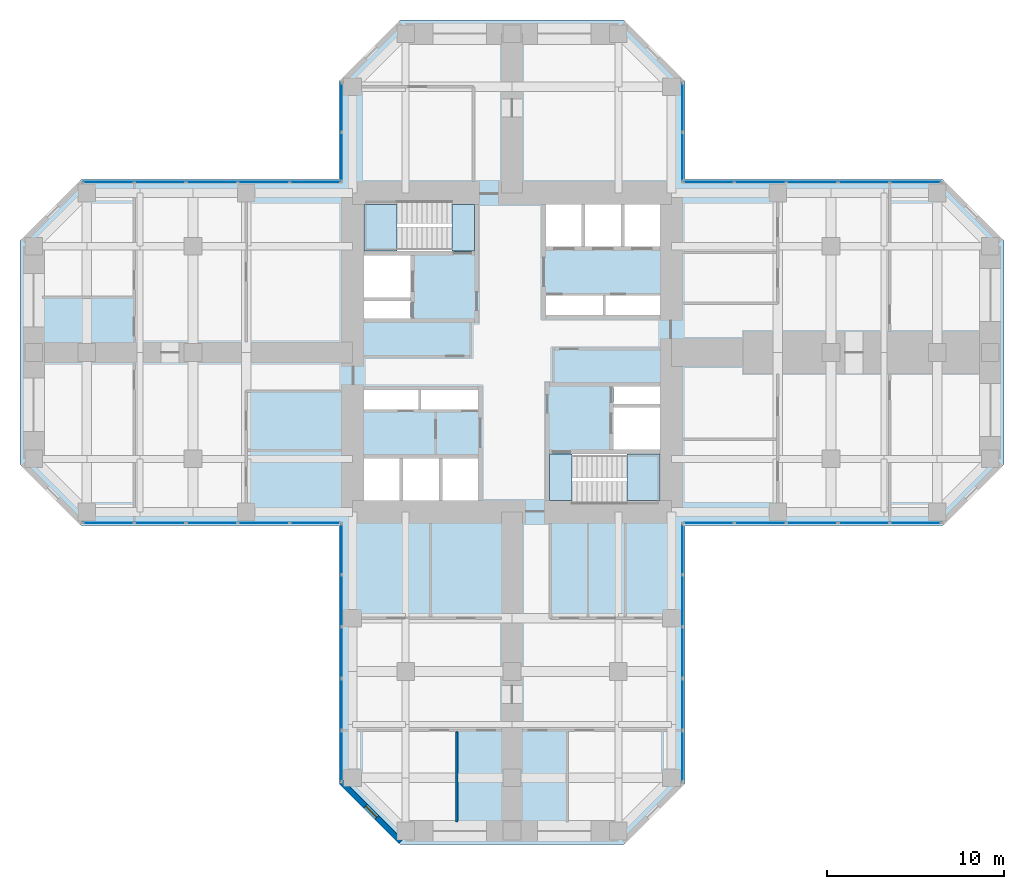
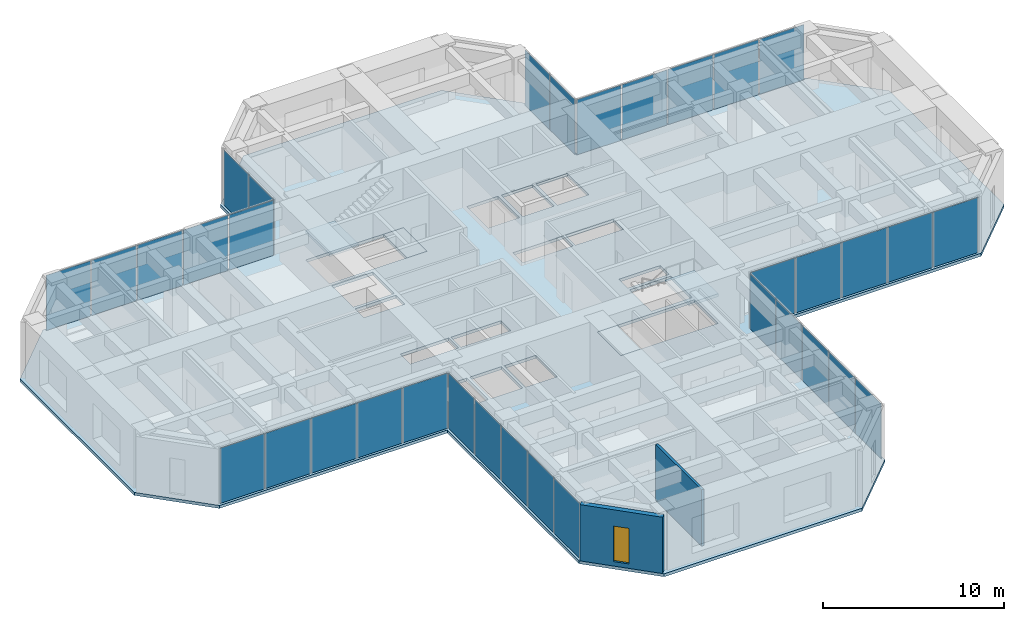
# One storey, part 7 of 13: 34 plates, 5 slabs, 2 walls, 1 window, 1 opening, 10 elements without a shape of their own.
"""IFC4 building model written with IfcOpenShell, lengths in metres."""

from ifc_helpers import new_model, si_unit, direction, frame, frame_2d, origin, origin_2d, place, context, subcontext, project, spatial, polyline, rectangle, hollow_rectangle, outline, extrude, material, layer, layer_set, constituent, constituent_set, type_object, element, fill, aggregate, save


model = new_model("IFC4")

# Units and contexts
model_context = context("Model", 3, precision=1e-05, world=origin(), true_north=direction((0.0, 1.0)))
body_context = subcontext(model_context, "Body", "Model", "MODEL_VIEW")
ifc_project = project(units=[si_unit("LENGTHUNIT", "METRE"), si_unit("AREAUNIT", "SQUARE_METRE"), si_unit("VOLUMEUNIT", "CUBIC_METRE"), si_unit("PLANEANGLEUNIT", "RADIAN"), si_unit("MASSUNIT", "GRAM", prefix="KILO")], contexts=[model_context])

# Site, building, storey
site_placement = place(None, origin())
site = spatial("IfcSite", under=ifc_project, at=site_placement, CompositionType="ELEMENT")
building_placement = place(site_placement, origin())
building = spatial("IfcBuilding", under=site, at=building_placement, Name="Torre Cruceta", CompositionType="ELEMENT")
storey_placement = place(building_placement, frame((0.0, 0.0, 152.5)))
storey = spatial("IfcBuildingStorey", under=building, at=storey_placement, Name="L37", CompositionType="ELEMENT", Elevation=152.5)

# Curtain wall, plate
ifc_material_1 = material(Name="Aluminium unitised curtain wall", Category="aluminium")
curtain_wall_type = type_object("IfcCurtainWallType", Name="CURTAIN WALL CW-B OFFICE MID RISE", PredefinedType="USERDEFINED", material=ifc_material_1)
curtain_wall_1_placement = place(storey_placement, origin())
curtain_wall_1 = element("IfcCurtainWall", 1, at=curtain_wall_1_placement, inside=storey, type_object=curtain_wall_type, Name="CW-B L37 E side 00", ObjectType="UNITISED", PredefinedType="USERDEFINED")
ifc_material_2 = material(Name="Laminated insulating glass unit, diagonal frit 50 %", Category="glass")
ifc_material_3 = material(Name="Laminated insulating glass unit, diagonal frit 50 %", Category="glass")
ifc_layer_1 = layer(ifc_material_3, 0.031982421875)
ifc_layer_set_1 = layer_set([ifc_layer_1], Name="Laminated insulating glass unit, diagonal frit 50 %")
plate_type_1 = type_object("IfcPlateType", Name="CW-B OPERABLE VENT PANEL 32", PredefinedType="CURTAIN_PANEL", material=ifc_layer_set_1)
plate_1_placement = place(storey_placement, frame((16.9384765625, -9.6201171875, 0.010009765625), z_axis=(0.0, 0.0, 1.0), x_axis=(1.0, 0.0, 0.0)))
plate_1 = element("IfcPlate", 2, at=plate_1_placement, type_object=plate_type_1, material=ifc_material_2, Name="CW-B vent 3", PredefinedType="CURTAIN_PANEL", context=body_context, shape_type="SweptSolid", body=[
    extrude(rectangle(XDim=2.8623046875, YDim=0.031982421875, at=origin_2d()), origin(), (0.0, 0.0, 1.0), 3.72509765625),
])

curtain_wall_2_placement = place(storey_placement, origin())
curtain_wall_2 = element("IfcCurtainWall", 3, at=curtain_wall_2_placement, inside=storey, type_object=curtain_wall_type, Name="CW-B L37 E side 04", ObjectType="UNITISED", PredefinedType="USERDEFINED")
plate_2_placement = place(storey_placement, frame((16.9384765625, 9.6201171875, 0.010009765625), z_axis=(0.0, 0.0, 1.0), x_axis=(-1.0, 0.0, 0.0)))
plate_2 = element("IfcPlate", 4, at=plate_2_placement, type_object=plate_type_1, material=ifc_material_2, Name="CW-B vent 3", PredefinedType="CURTAIN_PANEL", context=body_context, shape_type="SweptSolid", body=[
    extrude(rectangle(XDim=2.8623046875, YDim=0.031982421875, at=origin_2d()), origin(), (0.0, 0.0, 1.0), 3.72509765625),
])

curtain_wall_3_placement = place(storey_placement, origin())
curtain_wall_3 = element("IfcCurtainWall", 5, at=curtain_wall_3_placement, inside=storey, type_object=curtain_wall_type, Name="CW-B L37 W side 10", ObjectType="UNITISED", PredefinedType="USERDEFINED")
plate_3_placement = place(storey_placement, frame((-16.9384765625, 9.6201171875, 0.010009765625), z_axis=(0.0, 0.0, 1.0), x_axis=(-1.0, 0.0, 0.0)))
plate_3 = element("IfcPlate", 6, at=plate_3_placement, type_object=plate_type_1, material=ifc_material_2, Name="CW-B vent 3", PredefinedType="CURTAIN_PANEL", context=body_context, shape_type="SweptSolid", body=[
    extrude(rectangle(XDim=2.8623046875, YDim=0.031982421875, at=origin_2d()), origin(), (0.0, 0.0, 1.0), 3.72509765625),
])

curtain_wall_4_placement = place(storey_placement, origin())
curtain_wall_4 = element("IfcCurtainWall", 7, at=curtain_wall_4_placement, inside=storey, type_object=curtain_wall_type, Name="CW-B L37 W side 14", ObjectType="UNITISED", PredefinedType="USERDEFINED")
plate_4_placement = place(storey_placement, frame((-16.9384765625, -9.6201171875, 0.010009765625), z_axis=(0.0, 0.0, 1.0), x_axis=(1.0, 0.0, 0.0)))
plate_4 = element("IfcPlate", 8, at=plate_4_placement, type_object=plate_type_1, material=ifc_material_2, Name="CW-B vent 3", PredefinedType="CURTAIN_PANEL", context=body_context, shape_type="SweptSolid", body=[
    extrude(rectangle(XDim=2.8623046875, YDim=0.031982421875, at=origin_2d()), origin(), (0.0, 0.0, 1.0), 3.72509765625),
])

curtain_wall_5_placement = place(storey_placement, origin())
curtain_wall_5 = element("IfcCurtainWall", 9, at=curtain_wall_5_placement, inside=storey, type_object=curtain_wall_type, Name="CW-B L37 S side 15", ObjectType="UNITISED", PredefinedType="USERDEFINED")
plate_5_placement = place(storey_placement, frame((-9.6201171875, -16.9384765625, 0.010009765625), z_axis=(0.0, 0.0, 1.0), x_axis=(0.0, -1.0, 0.0)))
plate_5 = element("IfcPlate", 10, at=plate_5_placement, type_object=plate_type_1, material=ifc_material_2, Name="CW-B vent 3", PredefinedType="CURTAIN_PANEL", context=body_context, shape_type="SweptSolid", body=[
    extrude(rectangle(XDim=2.8623046875, YDim=0.031982421875, at=origin_2d()), origin(), (0.0, 0.0, 1.0), 3.72509765625),
])

curtain_wall_6_placement = place(storey_placement, origin())
curtain_wall_6 = element("IfcCurtainWall", 11, at=curtain_wall_6_placement, inside=storey, type_object=curtain_wall_type, Name="CW-B L37 S side 19", ObjectType="UNITISED", PredefinedType="USERDEFINED")
plate_6_placement = place(storey_placement, frame((9.6201171875, -16.9384765625, 0.010009765625), z_axis=(0.0, 0.0, 1.0), x_axis=(0.0, 1.0, 0.0)))
plate_6 = element("IfcPlate", 12, at=plate_6_placement, type_object=plate_type_1, material=ifc_material_2, Name="CW-B vent 3", PredefinedType="CURTAIN_PANEL", context=body_context, shape_type="SweptSolid", body=[
    extrude(rectangle(XDim=2.8623046875, YDim=0.031982421875, at=origin_2d()), origin(), (0.0, 0.0, 1.0), 3.72509765625),
])

# Plate
ifc_material_4 = material(Name="Laminated insulating glass unit, low-iron clear", Category="glass")
ifc_material_5 = material(Name="Laminated insulating glass unit, diagonal frit 50 %", Category="glass")
ifc_layer_2 = layer(ifc_material_5, 0.031982421875)
ifc_layer_set_2 = layer_set([ifc_layer_2], Name="Laminated insulating glass unit, diagonal frit 50 %")
plate_type_2 = type_object("IfcPlateType", Name="CW-B PANEL 32", PredefinedType="CURTAIN_PANEL", material=ifc_layer_set_2)
plate_7_placement = place(storey_placement, frame((11.099853515625, -9.6201171875, 0.010009765625), z_axis=(0.0, 0.0, 1.0), x_axis=(1.0, 0.0, 0.0)))
plate_7 = element("IfcPlate", 13, at=plate_7_placement, type_object=plate_type_2, material=ifc_material_4, Name="CW-B panel 1", PredefinedType="CURTAIN_PANEL", context=body_context, shape_type="SweptSolid", body=[
    extrude(rectangle(XDim=2.829833984375, YDim=0.031982421875, at=origin_2d()), origin(), (0.0, 0.0, 1.0), 3.72509765625),
])

plate_8_placement = place(storey_placement, frame((14.010986328125, -9.6201171875, 0.010009765625), z_axis=(0.0, 0.0, 1.0), x_axis=(1.0, 0.0, 0.0)))
plate_8 = element("IfcPlate", 14, at=plate_8_placement, type_object=plate_type_2, material=ifc_material_2, Name="CW-B panel 2", PredefinedType="CURTAIN_PANEL", context=body_context, shape_type="SweptSolid", body=[
    extrude(rectangle(XDim=2.8623046875, YDim=0.031982421875, at=origin_2d()), origin(), (0.0, 0.0, 1.0), 3.72509765625),
])

plate_9_placement = place(storey_placement, frame((19.86572265625, -9.6201171875, 0.010009765625), z_axis=(0.0, 0.0, 1.0), x_axis=(1.0, 0.0, 0.0)))
plate_9 = element("IfcPlate", 15, at=plate_9_placement, type_object=plate_type_2, material=ifc_material_2, Name="CW-B panel 4", PredefinedType="CURTAIN_PANEL", context=body_context, shape_type="SweptSolid", body=[
    extrude(rectangle(XDim=2.8623046875, YDim=0.031982421875, at=origin_2d()), origin(), (0.0, 0.0, 1.0), 3.72509765625),
])

plate_10_placement = place(storey_placement, frame((22.77685546875, -9.6201171875, 0.010009765625), z_axis=(0.0, 0.0, 1.0), x_axis=(1.0, 0.0, 0.0)))
plate_10 = element("IfcPlate", 16, at=plate_10_placement, type_object=plate_type_2, material=ifc_material_2, Name="CW-B panel 5", PredefinedType="CURTAIN_PANEL", context=body_context, shape_type="SweptSolid", body=[
    extrude(rectangle(XDim=2.829833984375, YDim=0.031982421875, at=origin_2d()), origin(), (0.0, 0.0, 1.0), 3.72509765625),
])

aggregate(curtain_wall_1, [plate_7, plate_8, plate_1, plate_9, plate_10])

plate_11_placement = place(storey_placement, frame((22.77685546875, 9.6201171875, 0.010009765625), z_axis=(0.0, 0.0, 1.0), x_axis=(-1.0, 0.0, 0.0)))
plate_11 = element("IfcPlate", 17, at=plate_11_placement, type_object=plate_type_2, material=ifc_material_4, Name="CW-B panel 1", PredefinedType="CURTAIN_PANEL", context=body_context, shape_type="SweptSolid", body=[
    extrude(rectangle(XDim=2.829833984375, YDim=0.031982421875, at=origin_2d()), origin(), (0.0, 0.0, 1.0), 3.72509765625),
])

plate_12_placement = place(storey_placement, frame((19.86572265625, 9.6201171875, 0.010009765625), z_axis=(0.0, 0.0, 1.0), x_axis=(-1.0, 0.0, 0.0)))
plate_12 = element("IfcPlate", 18, at=plate_12_placement, type_object=plate_type_2, material=ifc_material_2, Name="CW-B panel 2", PredefinedType="CURTAIN_PANEL", context=body_context, shape_type="SweptSolid", body=[
    extrude(rectangle(XDim=2.8623046875, YDim=0.031982421875, at=origin_2d()), origin(), (0.0, 0.0, 1.0), 3.72509765625),
])

plate_13_placement = place(storey_placement, frame((14.010986328125, 9.6201171875, 0.010009765625), z_axis=(0.0, 0.0, 1.0), x_axis=(-1.0, 0.0, 0.0)))
plate_13 = element("IfcPlate", 19, at=plate_13_placement, type_object=plate_type_2, material=ifc_material_2, Name="CW-B panel 4", PredefinedType="CURTAIN_PANEL", context=body_context, shape_type="SweptSolid", body=[
    extrude(rectangle(XDim=2.8623046875, YDim=0.031982421875, at=origin_2d()), origin(), (0.0, 0.0, 1.0), 3.72509765625),
])

plate_14_placement = place(storey_placement, frame((11.099853515625, 9.6201171875, 0.010009765625), z_axis=(0.0, 0.0, 1.0), x_axis=(-1.0, 0.0, 0.0)))
plate_14 = element("IfcPlate", 20, at=plate_14_placement, type_object=plate_type_2, material=ifc_material_2, Name="CW-B panel 5", PredefinedType="CURTAIN_PANEL", context=body_context, shape_type="SweptSolid", body=[
    extrude(rectangle(XDim=2.829833984375, YDim=0.031982421875, at=origin_2d()), origin(), (0.0, 0.0, 1.0), 3.72509765625),
])

aggregate(curtain_wall_2, [plate_11, plate_12, plate_2, plate_13, plate_14])

# Curtain wall, plates
curtain_wall_7_placement = place(storey_placement, origin())
curtain_wall_7 = element("IfcCurtainWall", 21, at=curtain_wall_7_placement, inside=storey, type_object=curtain_wall_type, Name="CW-B L37 N side 05", ObjectType="UNITISED", PredefinedType="USERDEFINED")
plate_15_placement = place(storey_placement, frame((9.6201171875, 11.04541015625, 0.010009765625), z_axis=(0.0, 0.0, 1.0), x_axis=(0.0, 1.0, 0.0)))
plate_15 = element("IfcPlate", 22, at=plate_15_placement, type_object=plate_type_2, material=ifc_material_4, Name="CW-B panel 1", PredefinedType="CURTAIN_PANEL", context=body_context, shape_type="SweptSolid", body=[
    extrude(rectangle(XDim=2.720947265625, YDim=0.031982421875, at=origin_2d()), origin(), (0.0, 0.0, 1.0), 3.72509765625),
])
plate_16_placement = place(storey_placement, frame((9.6201171875, 13.831298828125, 0.010009765625), z_axis=(0.0, 0.0, 1.0), x_axis=(0.0, 1.0, 0.0)))
plate_16 = element("IfcPlate", 23, at=plate_16_placement, type_object=plate_type_2, material=ifc_material_2, Name="CW-B panel 2", PredefinedType="CURTAIN_PANEL", context=body_context, shape_type="SweptSolid", body=[
    extrude(rectangle(XDim=2.720947265625, YDim=0.031982421875, at=origin_2d()), origin(), (0.0, 0.0, 1.0), 3.72509765625),
])
aggregate(curtain_wall_7, [plate_15, plate_16])

curtain_wall_8_placement = place(storey_placement, origin())
curtain_wall_8 = element("IfcCurtainWall", 24, at=curtain_wall_8_placement, inside=storey, type_object=curtain_wall_type, Name="CW-B L37 N side 09", ObjectType="UNITISED", PredefinedType="USERDEFINED")
plate_17_placement = place(storey_placement, frame((-9.6201171875, 13.831298828125, 0.010009765625), z_axis=(0.0, 0.0, 1.0), x_axis=(0.0, -1.0, 0.0)))
plate_17 = element("IfcPlate", 25, at=plate_17_placement, type_object=plate_type_2, material=ifc_material_4, Name="CW-B panel 1", PredefinedType="CURTAIN_PANEL", context=body_context, shape_type="SweptSolid", body=[
    extrude(rectangle(XDim=2.720947265625, YDim=0.031982421875, at=origin_2d()), origin(), (0.0, 0.0, 1.0), 3.72509765625),
])
plate_18_placement = place(storey_placement, frame((-9.6201171875, 11.04541015625, 0.010009765625), z_axis=(0.0, 0.0, 1.0), x_axis=(0.0, -1.0, 0.0)))
plate_18 = element("IfcPlate", 26, at=plate_18_placement, type_object=plate_type_2, material=ifc_material_2, Name="CW-B panel 2", PredefinedType="CURTAIN_PANEL", context=body_context, shape_type="SweptSolid", body=[
    extrude(rectangle(XDim=2.720947265625, YDim=0.031982421875, at=origin_2d()), origin(), (0.0, 0.0, 1.0), 3.72509765625),
])
aggregate(curtain_wall_8, [plate_17, plate_18])

# Plate
plate_19_placement = place(storey_placement, frame((-11.099853515625, 9.6201171875, 0.010009765625), z_axis=(0.0, 0.0, 1.0), x_axis=(-1.0, 0.0, 0.0)))
plate_19 = element("IfcPlate", 27, at=plate_19_placement, type_object=plate_type_2, material=ifc_material_4, Name="CW-B panel 1", PredefinedType="CURTAIN_PANEL", context=body_context, shape_type="SweptSolid", body=[
    extrude(rectangle(XDim=2.829833984375, YDim=0.031982421875, at=origin_2d()), origin(), (0.0, 0.0, 1.0), 3.72509765625),
])

plate_20_placement = place(storey_placement, frame((-14.010986328125, 9.6201171875, 0.010009765625), z_axis=(0.0, 0.0, 1.0), x_axis=(-1.0, 0.0, 0.0)))
plate_20 = element("IfcPlate", 28, at=plate_20_placement, type_object=plate_type_2, material=ifc_material_2, Name="CW-B panel 2", PredefinedType="CURTAIN_PANEL", context=body_context, shape_type="SweptSolid", body=[
    extrude(rectangle(XDim=2.8623046875, YDim=0.031982421875, at=origin_2d()), origin(), (0.0, 0.0, 1.0), 3.72509765625),
])

plate_21_placement = place(storey_placement, frame((-19.86572265625, 9.6201171875, 0.010009765625), z_axis=(0.0, 0.0, 1.0), x_axis=(-1.0, 0.0, 0.0)))
plate_21 = element("IfcPlate", 29, at=plate_21_placement, type_object=plate_type_2, material=ifc_material_2, Name="CW-B panel 4", PredefinedType="CURTAIN_PANEL", context=body_context, shape_type="SweptSolid", body=[
    extrude(rectangle(XDim=2.8623046875, YDim=0.031982421875, at=origin_2d()), origin(), (0.0, 0.0, 1.0), 3.72509765625),
])

plate_22_placement = place(storey_placement, frame((-22.77685546875, 9.6201171875, 0.010009765625), z_axis=(0.0, 0.0, 1.0), x_axis=(-1.0, 0.0, 0.0)))
plate_22 = element("IfcPlate", 30, at=plate_22_placement, type_object=plate_type_2, material=ifc_material_2, Name="CW-B panel 5", PredefinedType="CURTAIN_PANEL", context=body_context, shape_type="SweptSolid", body=[
    extrude(rectangle(XDim=2.829833984375, YDim=0.031982421875, at=origin_2d()), origin(), (0.0, 0.0, 1.0), 3.72509765625),
])

aggregate(curtain_wall_3, [plate_19, plate_20, plate_3, plate_21, plate_22])

plate_23_placement = place(storey_placement, frame((-22.77685546875, -9.6201171875, 0.010009765625), z_axis=(0.0, 0.0, 1.0), x_axis=(1.0, 0.0, 0.0)))
plate_23 = element("IfcPlate", 31, at=plate_23_placement, type_object=plate_type_2, material=ifc_material_4, Name="CW-B panel 1", PredefinedType="CURTAIN_PANEL", context=body_context, shape_type="SweptSolid", body=[
    extrude(rectangle(XDim=2.829833984375, YDim=0.031982421875, at=origin_2d()), origin(), (0.0, 0.0, 1.0), 3.72509765625),
])

plate_24_placement = place(storey_placement, frame((-19.86572265625, -9.6201171875, 0.010009765625), z_axis=(0.0, 0.0, 1.0), x_axis=(1.0, 0.0, 0.0)))
plate_24 = element("IfcPlate", 32, at=plate_24_placement, type_object=plate_type_2, material=ifc_material_2, Name="CW-B panel 2", PredefinedType="CURTAIN_PANEL", context=body_context, shape_type="SweptSolid", body=[
    extrude(rectangle(XDim=2.8623046875, YDim=0.031982421875, at=origin_2d()), origin(), (0.0, 0.0, 1.0), 3.72509765625),
])

plate_25_placement = place(storey_placement, frame((-14.010986328125, -9.6201171875, 0.010009765625), z_axis=(0.0, 0.0, 1.0), x_axis=(1.0, 0.0, 0.0)))
plate_25 = element("IfcPlate", 33, at=plate_25_placement, type_object=plate_type_2, material=ifc_material_2, Name="CW-B panel 4", PredefinedType="CURTAIN_PANEL", context=body_context, shape_type="SweptSolid", body=[
    extrude(rectangle(XDim=2.8623046875, YDim=0.031982421875, at=origin_2d()), origin(), (0.0, 0.0, 1.0), 3.72509765625),
])

plate_26_placement = place(storey_placement, frame((-11.099853515625, -9.6201171875, 0.010009765625), z_axis=(0.0, 0.0, 1.0), x_axis=(1.0, 0.0, 0.0)))
plate_26 = element("IfcPlate", 34, at=plate_26_placement, type_object=plate_type_2, material=ifc_material_2, Name="CW-B panel 5", PredefinedType="CURTAIN_PANEL", context=body_context, shape_type="SweptSolid", body=[
    extrude(rectangle(XDim=2.829833984375, YDim=0.031982421875, at=origin_2d()), origin(), (0.0, 0.0, 1.0), 3.72509765625),
])

aggregate(curtain_wall_4, [plate_23, plate_24, plate_4, plate_25, plate_26])

plate_27_placement = place(storey_placement, frame((-9.6201171875, -11.099853515625, 0.010009765625), z_axis=(0.0, 0.0, 1.0), x_axis=(0.0, -1.0, 0.0)))
plate_27 = element("IfcPlate", 35, at=plate_27_placement, type_object=plate_type_2, material=ifc_material_4, Name="CW-B panel 1", PredefinedType="CURTAIN_PANEL", context=body_context, shape_type="SweptSolid", body=[
    extrude(rectangle(XDim=2.829833984375, YDim=0.031982421875, at=origin_2d()), origin(), (0.0, 0.0, 1.0), 3.72509765625),
])

plate_28_placement = place(storey_placement, frame((-9.6201171875, -14.010986328125, 0.010009765625), z_axis=(0.0, 0.0, 1.0), x_axis=(0.0, -1.0, 0.0)))
plate_28 = element("IfcPlate", 36, at=plate_28_placement, type_object=plate_type_2, material=ifc_material_2, Name="CW-B panel 2", PredefinedType="CURTAIN_PANEL", context=body_context, shape_type="SweptSolid", body=[
    extrude(rectangle(XDim=2.8623046875, YDim=0.031982421875, at=origin_2d()), origin(), (0.0, 0.0, 1.0), 3.72509765625),
])

plate_29_placement = place(storey_placement, frame((-9.6201171875, -19.86572265625, 0.010009765625), z_axis=(0.0, 0.0, 1.0), x_axis=(0.0, -1.0, 0.0)))
plate_29 = element("IfcPlate", 37, at=plate_29_placement, type_object=plate_type_2, material=ifc_material_2, Name="CW-B panel 4", PredefinedType="CURTAIN_PANEL", context=body_context, shape_type="SweptSolid", body=[
    extrude(rectangle(XDim=2.8623046875, YDim=0.031982421875, at=origin_2d()), origin(), (0.0, 0.0, 1.0), 3.72509765625),
])

plate_30_placement = place(storey_placement, frame((-9.6201171875, -22.77685546875, 0.010009765625), z_axis=(0.0, 0.0, 1.0), x_axis=(0.0, -1.0, 0.0)))
plate_30 = element("IfcPlate", 38, at=plate_30_placement, type_object=plate_type_2, material=ifc_material_2, Name="CW-B panel 5", PredefinedType="CURTAIN_PANEL", context=body_context, shape_type="SweptSolid", body=[
    extrude(rectangle(XDim=2.829833984375, YDim=0.031982421875, at=origin_2d()), origin(), (0.0, 0.0, 1.0), 3.72509765625),
])

aggregate(curtain_wall_5, [plate_27, plate_28, plate_5, plate_29, plate_30])

plate_31_placement = place(storey_placement, frame((9.6201171875, -22.77685546875, 0.010009765625), z_axis=(0.0, 0.0, 1.0), x_axis=(0.0, 1.0, 0.0)))
plate_31 = element("IfcPlate", 39, at=plate_31_placement, type_object=plate_type_2, material=ifc_material_4, Name="CW-B panel 1", PredefinedType="CURTAIN_PANEL", context=body_context, shape_type="SweptSolid", body=[
    extrude(rectangle(XDim=2.829833984375, YDim=0.031982421875, at=origin_2d()), origin(), (0.0, 0.0, 1.0), 3.72509765625),
])

plate_32_placement = place(storey_placement, frame((9.6201171875, -19.86572265625, 0.010009765625), z_axis=(0.0, 0.0, 1.0), x_axis=(0.0, 1.0, 0.0)))
plate_32 = element("IfcPlate", 40, at=plate_32_placement, type_object=plate_type_2, material=ifc_material_2, Name="CW-B panel 2", PredefinedType="CURTAIN_PANEL", context=body_context, shape_type="SweptSolid", body=[
    extrude(rectangle(XDim=2.8623046875, YDim=0.031982421875, at=origin_2d()), origin(), (0.0, 0.0, 1.0), 3.72509765625),
])

plate_33_placement = place(storey_placement, frame((9.6201171875, -14.010986328125, 0.010009765625), z_axis=(0.0, 0.0, 1.0), x_axis=(0.0, 1.0, 0.0)))
plate_33 = element("IfcPlate", 41, at=plate_33_placement, type_object=plate_type_2, material=ifc_material_2, Name="CW-B panel 4", PredefinedType="CURTAIN_PANEL", context=body_context, shape_type="SweptSolid", body=[
    extrude(rectangle(XDim=2.8623046875, YDim=0.031982421875, at=origin_2d()), origin(), (0.0, 0.0, 1.0), 3.72509765625),
])

plate_34_placement = place(storey_placement, frame((9.6201171875, -11.099853515625, 0.010009765625), z_axis=(0.0, 0.0, 1.0), x_axis=(0.0, 1.0, 0.0)))
plate_34 = element("IfcPlate", 42, at=plate_34_placement, type_object=plate_type_2, material=ifc_material_2, Name="CW-B panel 5", PredefinedType="CURTAIN_PANEL", context=body_context, shape_type="SweptSolid", body=[
    extrude(rectangle(XDim=2.829833984375, YDim=0.031982421875, at=origin_2d()), origin(), (0.0, 0.0, 1.0), 3.72509765625),
])

aggregate(curtain_wall_6, [plate_31, plate_32, plate_6, plate_33, plate_34])

# Slab
ifc_material_6 = material(Name="Concrete G35 (fck 35 MPa)", Category="concrete")
ifc_layer_3 = layer(ifc_material_6, 0.199951171875)
ifc_layer_set_3 = layer_set([ifc_layer_3], Name="Concrete G35 (fck 35 MPa)")
slab_type_1 = type_object("IfcSlabType", Name="FLOOR SLAB 200", PredefinedType="FLOOR", material=ifc_layer_set_3)
slab_1_placement = place(storey_placement, frame((0.0, 0.0, -0.199951171875)))
element("IfcSlab", 43, at=slab_1_placement, inside=storey, type_object=slab_type_1, Name="Floor Slab L37", PredefinedType="FLOOR", context=body_context, shape_type="SweptSolid", body=[
    extrude(outline(polyline([(9.77001953125, -9.77001953125), (9.77001953125, -24.31884765625), (6.31884765625, -27.77001953125), (-6.31884765625, -27.77001953125), (-9.77001953125, -24.31884765625), (-9.77001953125, -9.77001953125), (-24.31884765625, -9.77001953125), (-27.77001953125, -6.31884765625), (-27.77001953125, 6.31884765625), (-24.31884765625, 9.77001953125), (-9.77001953125, 9.77001953125), (-9.77001953125, 15.31884765625), (-6.31884765625, 18.77001953125), (6.31884765625, 18.77001953125), (9.77001953125, 15.31884765625), (9.77001953125, 9.77001953125), (24.31884765625, 9.77001953125), (27.77001953125, 6.31884765625), (27.77001953125, -6.31884765625), (24.31884765625, -9.77001953125), (9.77001953125, -9.77001953125)]), holes=[polyline([(1.925048828125, 5.97509765625), (3.933349609375, 5.97509765625), (3.933349609375, 8.35009765625), (1.925048828125, 8.35009765625), (1.925048828125, 5.97509765625)]), polyline([(4.13330078125, 5.97509765625), (6.1416015625, 5.97509765625), (6.1416015625, 8.35009765625), (4.13330078125, 8.35009765625), (4.13330078125, 5.97509765625)]), polyline([(6.341552734375, 5.97509765625), (8.35009765625, 5.97509765625), (8.35009765625, 8.35009765625), (6.341552734375, 8.35009765625), (6.341552734375, 5.97509765625)]), polyline([(1.925048828125, 2.125), (5.125, 2.125), (5.125, 3.22509765625), (1.925048828125, 3.22509765625), (1.925048828125, 2.125)]), polyline([(5.27490234375, 2.125), (8.35009765625, 2.125), (8.35009765625, 3.22509765625), (5.27490234375, 3.22509765625), (5.27490234375, 2.125)]), polyline([(-8.35009765625, 3.10009765625), (-5.72509765625, 3.10009765625), (-5.72509765625, 5.47509765625), (-8.35009765625, 5.47509765625), (-8.35009765625, 3.10009765625)]), polyline([(-8.35009765625, 1.925048828125), (-5.72509765625, 1.925048828125), (-5.72509765625, 2.89990234375), (-8.35009765625, 2.89990234375), (-8.35009765625, 1.925048828125)]), polyline([(-3.933349609375, -8.35009765625), (-1.925048828125, -8.35009765625), (-1.925048828125, -5.97509765625), (-3.933349609375, -5.97509765625), (-3.933349609375, -8.35009765625)]), polyline([(-6.1416015625, -8.35009765625), (-4.13330078125, -8.35009765625), (-4.13330078125, -5.97509765625), (-6.1416015625, -5.97509765625), (-6.1416015625, -8.35009765625)]), polyline([(-8.35009765625, -8.35009765625), (-6.341552734375, -8.35009765625), (-6.341552734375, -5.97509765625), (-8.35009765625, -5.97509765625), (-8.35009765625, -8.35009765625)]), polyline([(-5.125, -3.22509765625), (-1.925048828125, -3.22509765625), (-1.925048828125, -2.125), (-5.125, -2.125), (-5.125, -3.22509765625)]), polyline([(-8.35009765625, -3.22509765625), (-5.27490234375, -3.22509765625), (-5.27490234375, -2.125), (-8.35009765625, -2.125), (-8.35009765625, -3.22509765625)]), polyline([(5.72509765625, -5.47509765625), (8.35009765625, -5.47509765625), (8.35009765625, -3.10009765625), (5.72509765625, -3.10009765625), (5.72509765625, -5.47509765625)]), polyline([(5.72509765625, -2.89990234375), (8.35009765625, -2.89990234375), (8.35009765625, -1.925048828125), (5.72509765625, -1.925048828125), (5.72509765625, -2.89990234375)]), polyline([(-8.35009765625, 5.72509765625), (-8.35009765625, 8.35009765625), (-3.39990234375, 8.35009765625), (-2.125, 8.35009765625), (-2.125, 5.72509765625), (-3.39990234375, 5.72509765625), (-8.35009765625, 5.72509765625)]), polyline([(2.125, -5.72509765625), (3.39990234375, -5.72509765625), (8.35009765625, -5.72509765625), (8.35009765625, -8.35009765625), (3.39990234375, -8.35009765625), (2.125, -8.35009765625), (2.125, -5.72509765625)])]), origin(), (0.0, 0.0, 1.0), 0.199951171875),
])

# Stair, slab
ifc_material_7 = material(Name="Concrete G30 (fck 30 MPa)", Category="concrete")
stair_type = type_object("IfcStairType", Name="STAIR HALF-TURN 1300", PredefinedType="HALF_TURN_STAIR", material=ifc_material_7)
stair_1_placement = place(storey_placement, origin())
stair_1 = element("IfcStair", 44, at=stair_1_placement, inside=storey, type_object=stair_type, Name="Stair ST1 L37", PredefinedType="HALF_TURN_STAIR")
ifc_material_8 = material(Name="Concrete G30 (fck 30 MPa)", Category="concrete")
ifc_layer_4 = layer(ifc_material_8, 0.199951171875)
ifc_layer_set_4 = layer_set([ifc_layer_4], Name="Concrete G30 (fck 30 MPa)")
slab_type_2 = type_object("IfcSlabType", Name="STAIR LANDING 200", PredefinedType="LANDING", material=ifc_layer_set_4)
slab_2_placement = place(storey_placement, frame((0.0, 0.0, 1.800048828125)))
slab_2 = element("IfcSlab", 45, at=slab_2_placement, type_object=slab_type_2, Name="ST1 landing 1", PredefinedType="LANDING", context=body_context, shape_type="SweptSolid", body=[
    extrude(outline(polyline([(-8.35009765625, 5.72509765625), (-6.47998046875, 5.72509765625), (-6.47998046875, 8.35009765625), (-8.35009765625, 8.35009765625), (-8.35009765625, 5.72509765625)])), origin(), (0.0, 0.0, 1.0), 0.199951171875),
])
aggregate(stair_1, [slab_2])

stair_2_placement = place(storey_placement, origin())
stair_2 = element("IfcStair", 46, at=stair_2_placement, inside=storey, type_object=stair_type, Name="Stair ST2 L37", PredefinedType="HALF_TURN_STAIR")
slab_3_placement = place(storey_placement, frame((0.0, 0.0, 1.800048828125)))
slab_3 = element("IfcSlab", 47, at=slab_3_placement, type_object=slab_type_2, Name="ST2 landing 1", PredefinedType="LANDING", context=body_context, shape_type="SweptSolid", body=[
    extrude(outline(polyline([(6.47998046875, -8.35009765625), (8.35009765625, -8.35009765625), (8.35009765625, -5.72509765625), (6.47998046875, -5.72509765625), (6.47998046875, -8.35009765625)])), origin(), (0.0, 0.0, 1.0), 0.199951171875),
])
aggregate(stair_2, [slab_3])

# Slabs
slab_4_placement = place(storey_placement, frame((0.0, 0.0, -0.199951171875)))
element("IfcSlab", 48, at=slab_4_placement, inside=storey, type_object=slab_type_2, Name="Stair ST1 floor landing L37", PredefinedType="LANDING", context=body_context, shape_type="SweptSolid", body=[
    extrude(outline(polyline([(-2.125, 8.35009765625), (-2.125, 5.72509765625), (-3.39990234375, 5.72509765625), (-3.39990234375, 8.35009765625), (-2.125, 8.35009765625)])), origin(), (0.0, 0.0, 1.0), 0.199951171875),
])
slab_5_placement = place(storey_placement, frame((0.0, 0.0, -0.199951171875)))
element("IfcSlab", 49, at=slab_5_placement, inside=storey, type_object=slab_type_2, Name="Stair ST2 floor landing L37", PredefinedType="LANDING", context=body_context, shape_type="SweptSolid", body=[
    extrude(outline(polyline([(2.125, -8.35009765625), (2.125, -5.72509765625), (3.39990234375, -5.72509765625), (3.39990234375, -8.35009765625), (2.125, -8.35009765625)])), origin(), (0.0, 0.0, 1.0), 0.199951171875),
])

# Wall, opening, window
ifc_material_9 = material(Name="Concrete G30 (fck 30 MPa)", Category="concrete")
ifc_layer_5 = layer(ifc_material_9, 0.300048828125)
ifc_layer_set_5 = layer_set([ifc_layer_5], Name="Concrete G30 (fck 30 MPa)")
wall_type_1 = type_object("IfcWallType", Name="EXPOSED CONCRETE FACADE WALL 300", PredefinedType="SOLIDWALL", material=ifc_layer_set_5)
wall_1_placement = place(storey_placement, frame((-9.6201171875, -24.2568359375, 0.0), z_axis=(0.0, 0.0, 1.0), x_axis=(0.707106781187, -0.707106781187, 0.0)))
wall_1 = element("IfcWall", 50, at=wall_1_placement, inside=storey, type_object=wall_type_1, Name="EW1 facade wall L37 S chamfer 16", PredefinedType="SOLIDWALL", context=body_context, shape_type="SweptSolid", body=[
    extrude(rectangle(XDim=4.72802734375, YDim=0.300048828125, at=frame_2d((2.364013671875, 0.0))), origin(), (0.0, 0.0, 1.0), 3.800048828125),
])
opening_placement = place(wall_1_placement, frame((1.9140625, 0.0, 0.300048828125)))
opening = element("IfcOpeningElement", 51, at=opening_placement, cuts=wall_1, Name="Opening WN5", PredefinedType="OPENING", context=body_context, shape_type="SweptSolid", body=[
    extrude(rectangle(XDim=0.89990234375, YDim=2.39990234375, at=frame_2d((0.449951171875, 1.199951171875))), frame((0.0, 0.159912109375, 0.0), z_axis=(0.0, -1.0, 0.0), x_axis=(1.0, 0.0, 0.0)), (0.0, 0.0, 1.0), 0.320068359375),
])
ifc_material_10 = material(Name="Aluminium window frame", Category="aluminium")
ifc_constituent_1 = constituent(ifc_material_10, Name="Frame")
ifc_material_11 = material(Name="Laminated insulating glass unit, low-iron clear", Category="glass")
ifc_constituent_2 = constituent(ifc_material_11, Name="Glazing")
ifc_constituent_set = constituent_set(constituents=[ifc_constituent_1, ifc_constituent_2], Name="Aluminium window")
window_type = type_object("IfcWindowType", Name="CHAMFER SLOT WINDOW 900X2400", PartitioningType="SINGLE_PANEL", PredefinedType="WINDOW", material=ifc_constituent_set)
window_placement = place(opening_placement, origin())
window = element("IfcWindow", 52, at=window_placement, inside=storey, type_object=window_type, Name="WN5 L37 S 1", OverallHeight=2.39990234375, OverallWidth=0.89990234375, PartitioningType="SINGLE_PANEL", PredefinedType="WINDOW", context=body_context, shape_type="SweptSolid", body=[
    extrude(hollow_rectangle(XDim=0.89990234375, YDim=2.39990234375, WallThickness=0.06005859375, at=frame_2d((0.449951171875, 1.199951171875))), frame((0.0, 0.030029296875, 0.0), z_axis=(0.0, -1.0, 0.0), x_axis=(1.0, 0.0, 0.0)), (0.0, 0.0, 1.0), 0.06005859375),
    extrude(rectangle(XDim=0.77880859375, YDim=2.27880859375, at=frame_2d((0.449951171875, 1.199951171875))), frame((0.0, 0.030029296875, 0.0), z_axis=(0.0, -1.0, 0.0), x_axis=(1.0, 0.0, 0.0)), (0.0, 0.0, 1.0), 0.06005859375),
])
fill(opening, window)

# Wall
ifc_material_12 = material(Name="Plasterboard on steel studs", Category="steel")
ifc_layer_6 = layer(ifc_material_12, 0.14990234375)
ifc_layer_set_6 = layer_set([ifc_layer_6], Name="Plasterboard on steel studs")
wall_type_2 = type_object("IfcWallType", Name="PARTITION 150", PredefinedType="PARTITIONING", material=ifc_layer_set_6)
wall_2_placement = place(storey_placement, frame((-3.117919921875, -21.419921875, 0.0), z_axis=(0.0, 0.0, 1.0), x_axis=(0.0, -1.0, 0.0)))
element("IfcWall", 53, at=wall_2_placement, inside=storey, type_object=wall_type_2, Name="PT1 L37-S-TDR", PredefinedType="PARTITIONING", context=body_context, shape_type="SweptSolid", body=[
    extrude(rectangle(XDim=5.080078125, YDim=0.14990234375, at=frame_2d((2.5400390625, 0.0))), origin(), (0.0, 0.0, 1.0), 3.800048828125),
])

save(model, "model.ifc")
